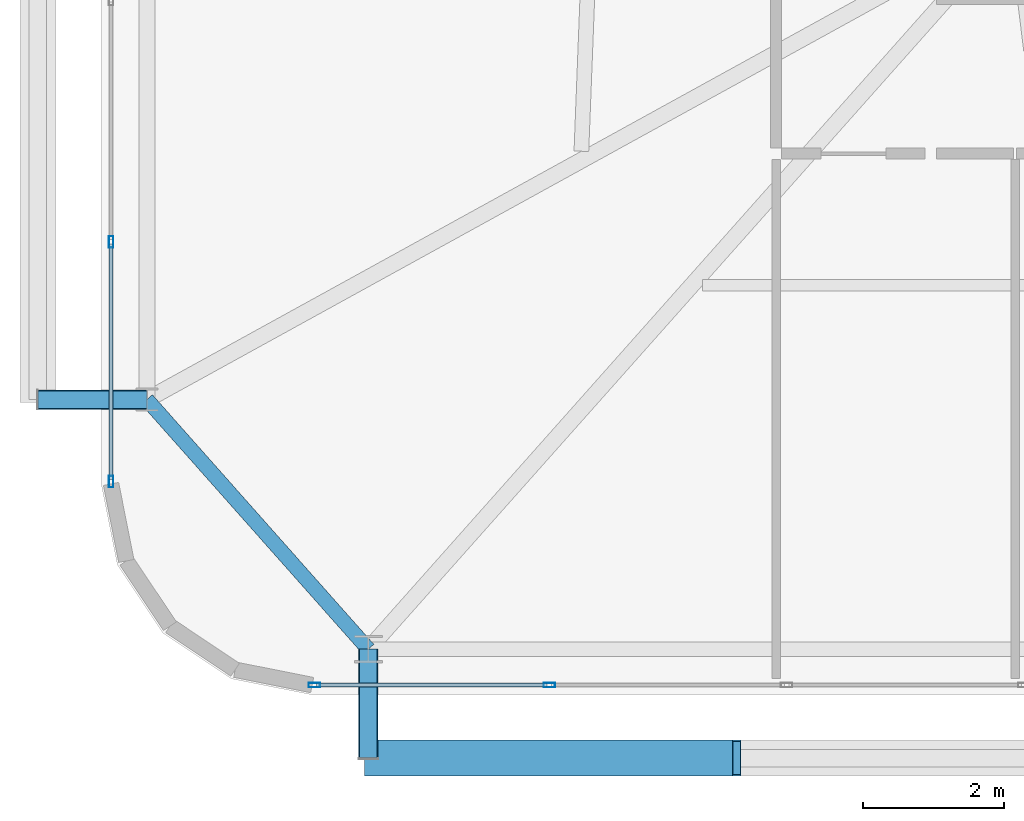
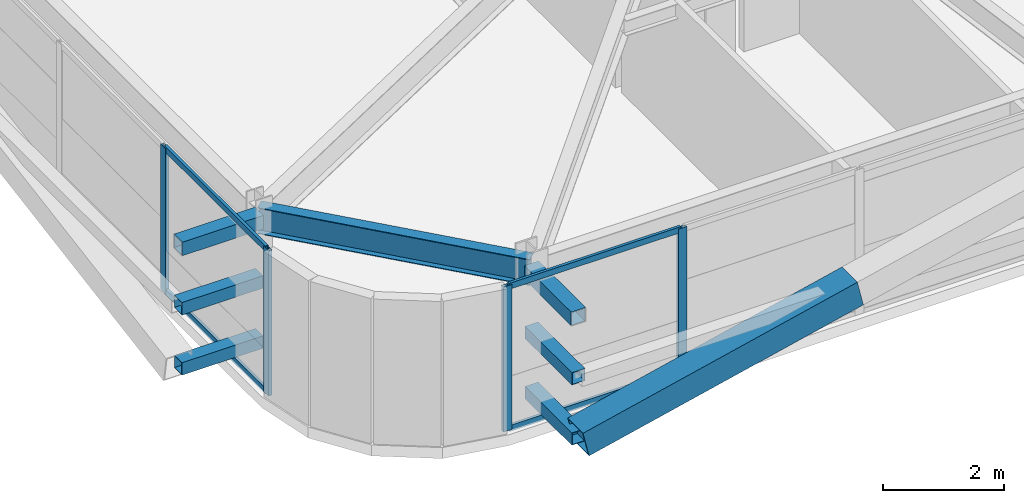
# One storey, part 5 of 59: 15 members, 1 beam, 2 elements without a shape of their own.
"""IFC4 building model written with IfcOpenShell, lengths in metres."""

from ifc_helpers import new_model, si_unit, direction, frame, origin, origin_2d, place, context, subcontext, project, spatial, hollow_rectangle, i_section, extrude, source, transform, mapped, material, layer, layer_set, material_profile, profile_set, type_object, element, aggregate, save


model = new_model("IFC4")

# Units and contexts
model_context = context("Model", 3, precision=1e-05, world=origin(), true_north=direction((0.0, 1.0)))
body_context = subcontext(model_context, "Body", "Model", "MODEL_VIEW")
ifc_project = project(units=[si_unit("LENGTHUNIT", "METRE"), si_unit("AREAUNIT", "SQUARE_METRE"), si_unit("VOLUMEUNIT", "CUBIC_METRE"), si_unit("PLANEANGLEUNIT", "RADIAN"), si_unit("MASSUNIT", "GRAM", prefix="KILO")], contexts=[model_context])

# Site, building, storey
site_placement = place(None, origin())
site = spatial("IfcSite", under=ifc_project, at=site_placement, CompositionType="ELEMENT")
building_placement = place(site_placement, origin())
building = spatial("IfcBuilding", under=site, at=building_placement, Name="Taldren Reach Tower", CompositionType="ELEMENT")
storey_placement = place(building_placement, frame((0.0, 0.0, 48.300048828125)))
storey = spatial("IfcBuildingStorey", under=building, at=storey_placement, Name="L14", CompositionType="ELEMENT", Elevation=48.300048828125)

# Beam
ifc_material_1 = material(Name="Steel Gr 350 (350PLUS)", Category="steel")
ifc_material_profile_1 = material_profile(ifc_material_1, i_section(OverallWidth=0.208984375, OverallDepth=0.528076171875, WebThickness=0.009521484375, FlangeThickness=0.01318359375, at=origin_2d()), Name="530UB82.0")
ifc_profile_set_1 = profile_set([ifc_material_profile_1], Name="Steel Gr 350 (350PLUS)")
beam_type = type_object("IfcBeamType", Name="SP-UB530B", PredefinedType="SPANDREL", material=ifc_profile_set_1)
shared_shape_1 = source(origin(), body_context, "Body", "SweptSolid", [
    extrude(i_section(OverallWidth=0.208984375, OverallDepth=0.528076171875, WebThickness=0.009521484375, FlangeThickness=0.01318359375, at=origin_2d()), origin(), (0.0, 0.0, 1.0), 4.74609375),
])
beam_placement = place(storey_placement, frame((5.64990234375, 5.699951171875, 2.666015625), z_axis=(0.663721843779, -0.747979487747, 0.0), x_axis=(0.747979487747, 0.663721843779, 0.0)))
element("IfcBeam", 1, at=beam_placement, inside=storey, type_object=beam_type, Name="Perimeter spandrel B1 W1-S1 L14", PredefinedType="SPANDREL", context=body_context, shape_type="MappedRepresentation", body=[
    mapped(shared_shape_1, transform((0.0, 0.0, 0.0), scale=1.0)),
])

# Members
ifc_material_2 = material(Name="Steel Gr 450 (C450L0)", Category="steel")
ifc_material_profile_2 = material_profile(ifc_material_2, hollow_rectangle(XDim=0.27490234375, YDim=0.27490234375, WallThickness=0.00927734375, at=origin_2d()), Name="275x275x9.3SHS")
ifc_profile_set_2 = profile_set([ifc_material_profile_2], Name="Steel Gr 450 (C450L0)")
member_type_1 = type_object("IfcMemberType", Name="MB-TIE273", PredefinedType="STRUT", material=ifc_profile_set_2)
shared_shape_2 = source(origin(), body_context, "Body", "SweptSolid", [
    extrude(hollow_rectangle(XDim=0.27490234375, YDim=0.27490234375, WallThickness=0.00927734375, at=origin_2d()), origin(), (0.0, 0.0, 1.0), 1.5498046875),
])
for number, where, z_axis, x_axis, name in (
    (2, (8.800048828125, 2.14990234375, 2.64990234375), (0.0, -1.0, 0.0), (1.0, 0.0, 0.0), "Exoskeleton diaphragm tie strut B1-S1 L14"),
    (3, (5.64990234375, 5.699951171875, 2.64990234375), (-1.0, 0.0, 0.0), (0.0, -1.0, 0.0), "Exoskeleton diaphragm tie strut B1-W1 L14"),
):
    element("IfcMember", number, at=place(storey_placement, frame(where, z_axis=z_axis, x_axis=x_axis)), inside=storey, type_object=member_type_1, Name=name, PredefinedType="STRUT", context=body_context, shape_type="MappedRepresentation", body=[
        mapped(shared_shape_2, transform((0.0, 0.0, 0.0), scale=1.0)),
    ])
ifc_material_profile_3 = material_profile(ifc_material_2, hollow_rectangle(XDim=0.510009765625, YDim=0.510009765625, WallThickness=0.02001953125, at=origin_2d()), Name="510x510x20.0SHS")
ifc_profile_set_3 = profile_set([ifc_material_profile_3], Name="Steel Gr 450 (C450L0)")
member_type_2 = type_object("IfcMemberType", Name="MB-EXO508", PredefinedType="BRACE", material=ifc_profile_set_3)
shared_shape_3 = source(origin(), body_context, "Body", "SweptSolid", [
    extrude(hollow_rectangle(XDim=0.510009765625, YDim=0.510009765625, WallThickness=0.02001953125, at=origin_2d()), origin(), (0.0, 0.0, 1.0), 5.37890625),
])
member_1_placement = place(storey_placement, frame((8.800048828125, 0.60009765625, 0.219970703125), z_axis=(0.97415197996, 0.0, 0.225893603143), x_axis=(0.0, 1.0, 0.0)))
element("IfcMember", 4, at=member_1_placement, inside=storey, type_object=member_type_2, Name="Exoskeleton Diagrid Brace B1-S1 L14", PredefinedType="BRACE", context=body_context, shape_type="MappedRepresentation", body=[
    mapped(shared_shape_3, transform((0.0, 0.0, 0.0), scale=1.0)),
])
ifc_material_3 = material(Name="Steel Gr 350 (C350L0)", Category="steel")
ifc_material_profile_4 = material_profile(ifc_material_3, hollow_rectangle(XDim=0.25, YDim=0.25, WallThickness=0.010009765625, at=origin_2d()), Name="250x250x10.0SHS")
ifc_profile_set_4 = profile_set([ifc_material_profile_4], Name="Steel Gr 350 (C350L0)")
member_type_3 = type_object("IfcMemberType", Name="MB-POST250", PredefinedType="POST", material=ifc_profile_set_4)
shared_shape_4 = source(origin(), body_context, "Body", "SweptSolid", [
    extrude(hollow_rectangle(XDim=0.25, YDim=0.25, WallThickness=0.010009765625, at=origin_2d()), origin(), (0.0, 0.0, 1.0), 1.5498046875),
])
for number, where, z_axis, x_axis, name in (
    (5, (8.800048828125, 2.14990234375, 0.219970703125), (0.0, -1.0, 0.0), (1.0, 0.0, 0.0), "Exoskeleton base diaphragm tie strut B1-S1 L14"),
    (6, (5.64990234375, 5.699951171875, 0.219970703125), (-1.0, 0.0, 0.0), (0.0, -1.0, 0.0), "Exoskeleton base diaphragm tie strut B1-W1 L14"),
    (7, (8.800048828125, 2.14990234375, 1.43505859375), (0.0, -1.0, 0.0), (1.0, 0.0, 0.0), "Exoskeleton mid-tier diaphragm tie B1-S1 L14"),
    (8, (5.64990234375, 5.699951171875, 1.43505859375), (-1.0, 0.0, 0.0), (0.0, -1.0, 0.0), "Exoskeleton mid-tier diaphragm tie B1-W1 L14"),
):
    element("IfcMember", number, at=place(storey_placement, frame(where, z_axis=z_axis, x_axis=x_axis)), inside=storey, type_object=member_type_3, Name=name, PredefinedType="POST", context=body_context, shape_type="MappedRepresentation", body=[
        mapped(shared_shape_4, transform((0.0, 0.0, 0.0), scale=1.0)),
    ])

# Curtain wall, members
ifc_material_4 = material(Name="Aluminium and Low-E Glass Unitised System", Category="aluminium")
ifc_layer = layer(ifc_material_4, 0.159912109375)
ifc_layer_set = layer_set([ifc_layer], Name="Aluminium and Low-E Glass Unitised System")
curtain_wall_type = type_object("IfcCurtainWallType", Name="CW-SYS-2", PredefinedType="NOTDEFINED", material=ifc_layer_set)
curtain_wall_1_placement = place(storey_placement, origin())
curtain_wall_1 = element("IfcCurtainWall", 9, at=curtain_wall_1_placement, inside=storey, type_object=curtain_wall_type, Name="Unitised curtain wall CW-L14-S", PredefinedType="NOTDEFINED")
ifc_material_5 = material(Name="Anodised Aluminium 6063-T6", Category="aluminium")
ifc_material_profile_5 = material_profile(ifc_material_5, hollow_rectangle(XDim=0.06494140625, YDim=0.1650390625, WallThickness=0.00390625, at=origin_2d()), Name="ALU-165x65x4RHS")
ifc_profile_set_5 = profile_set([ifc_material_profile_5], Name="Anodised Aluminium 6063-T6")
member_type_4 = type_object("IfcMemberType", Name="CW-MUL-165", PredefinedType="MULLION", material=ifc_profile_set_5)
shared_shape_5 = source(origin(), body_context, "Body", "SweptSolid", [
    extrude(hollow_rectangle(XDim=0.06494140625, YDim=0.1650390625, WallThickness=0.00390625, at=origin_2d()), origin(), (0.0, 0.0, 1.0), 2.929931640625),
])
member_2_placement = place(storey_placement, frame((8.032470703125, 1.639892578125, 0.0), z_axis=(0.0, 0.0, 1.0), x_axis=(0.0, 1.0, 0.0)))
member_2 = element("IfcMember", 10, at=member_2_placement, type_object=member_type_4, Name="CW-2 mullion 1", PredefinedType="MULLION", context=body_context, shape_type="MappedRepresentation", body=[
    mapped(shared_shape_5, transform((0.0, 0.0, 0.0), scale=1.0)),
])
member_3_placement = place(storey_placement, frame((11.375, 1.639892578125, 0.0), z_axis=(0.0, 0.0, 1.0), x_axis=(0.0, 1.0, 0.0)))
member_3 = element("IfcMember", 11, at=member_3_placement, type_object=member_type_4, Name="CW-2 mullion 2", PredefinedType="MULLION", context=body_context, shape_type="MappedRepresentation", body=[
    mapped(shared_shape_5, transform((0.0, 0.0, 0.0), scale=1.0)),
])

curtain_wall_2_placement = place(storey_placement, origin())
curtain_wall_2 = element("IfcCurtainWall", 12, at=curtain_wall_2_placement, inside=storey, type_object=curtain_wall_type, Name="Unitised curtain wall CW-L14-W", PredefinedType="NOTDEFINED")
member_4_placement = place(storey_placement, frame((5.139892578125, 7.9443359375, 0.0), z_axis=(0.0, 0.0, 1.0), x_axis=(1.0, 0.0, 0.0)))
member_4 = element("IfcMember", 13, at=member_4_placement, type_object=member_type_4, Name="CW-2 mullion 9", PredefinedType="MULLION", context=body_context, shape_type="MappedRepresentation", body=[
    mapped(shared_shape_5, transform((0.0, 0.0, 0.0), scale=1.0)),
])
member_5_placement = place(storey_placement, frame((5.139892578125, 4.532470703125, 0.0), z_axis=(0.0, 0.0, 1.0), x_axis=(1.0, 0.0, 0.0)))
member_5 = element("IfcMember", 14, at=member_5_placement, type_object=member_type_4, Name="CW-2 mullion 10", PredefinedType="MULLION", context=body_context, shape_type="MappedRepresentation", body=[
    mapped(shared_shape_5, transform((0.0, 0.0, 0.0), scale=1.0)),
])

# Member
ifc_material_profile_6 = material_profile(ifc_material_5, hollow_rectangle(XDim=0.054931640625, YDim=0.1201171875, WallThickness=0.0029296875, at=origin_2d()), Name="ALU-120x55x3RHS")
ifc_profile_set_6 = profile_set([ifc_material_profile_6], Name="Anodised Aluminium 6063-T6")
member_type_5 = type_object("IfcMemberType", Name="CW-TRN-135", PredefinedType="USERDEFINED", material=ifc_profile_set_6)
shared_shape_6 = source(origin(), body_context, "Body", "SweptSolid", [
    extrude(hollow_rectangle(XDim=0.054931640625, YDim=0.1201171875, WallThickness=0.0029296875, at=origin_2d()), origin(), (0.0, 0.0, 1.0), 3.277587890625),
])
member_6_placement = place(storey_placement, frame((8.06494140625, 1.639892578125, 0.02734375), z_axis=(1.0, 0.0, 0.0), x_axis=(0.0, 1.0, 0.0)))
member_6 = element("IfcMember", 15, at=member_6_placement, type_object=member_type_5, Name="CW-2 transom 1.1", ObjectType="TRANSOM", PredefinedType="USERDEFINED", context=body_context, shape_type="MappedRepresentation", body=[
    mapped(shared_shape_6, transform((0.0, 0.0, 0.0), scale=1.0)),
])

member_7_placement = place(storey_placement, frame((8.06494140625, 1.639892578125, 2.90234375), z_axis=(1.0, 0.0, 0.0), x_axis=(0.0, 1.0, 0.0)))
member_7 = element("IfcMember", 16, at=member_7_placement, type_object=member_type_5, Name="CW-2 transom 1.2", ObjectType="TRANSOM", PredefinedType="USERDEFINED", context=body_context, shape_type="MappedRepresentation", body=[
    mapped(shared_shape_6, transform((0.0, 0.0, 0.0), scale=1.0)),
])

aggregate(curtain_wall_1, [member_2, member_3, member_6, member_7])

shared_shape_7 = source(origin(), body_context, "Body", "SweptSolid", [
    extrude(hollow_rectangle(XDim=0.054931640625, YDim=0.1201171875, WallThickness=0.0029296875, at=origin_2d()), origin(), (0.0, 0.0, 1.0), 3.346923828125),
])
member_8_placement = place(storey_placement, frame((5.139892578125, 7.911865234375, 0.02734375), z_axis=(0.0, -1.0, 0.0), x_axis=(1.0, 0.0, 0.0)))
member_8 = element("IfcMember", 17, at=member_8_placement, type_object=member_type_5, Name="CW-2 transom 9.1", ObjectType="TRANSOM", PredefinedType="USERDEFINED", context=body_context, shape_type="MappedRepresentation", body=[
    mapped(shared_shape_7, transform((0.0, 0.0, 0.0), scale=1.0)),
])

member_9_placement = place(storey_placement, frame((5.139892578125, 7.911865234375, 2.90234375), z_axis=(0.0, -1.0, 0.0), x_axis=(1.0, 0.0, 0.0)))
member_9 = element("IfcMember", 18, at=member_9_placement, type_object=member_type_5, Name="CW-2 transom 9.2", ObjectType="TRANSOM", PredefinedType="USERDEFINED", context=body_context, shape_type="MappedRepresentation", body=[
    mapped(shared_shape_7, transform((0.0, 0.0, 0.0), scale=1.0)),
])

aggregate(curtain_wall_2, [member_4, member_5, member_8, member_9])

save(model, "model.ifc")
